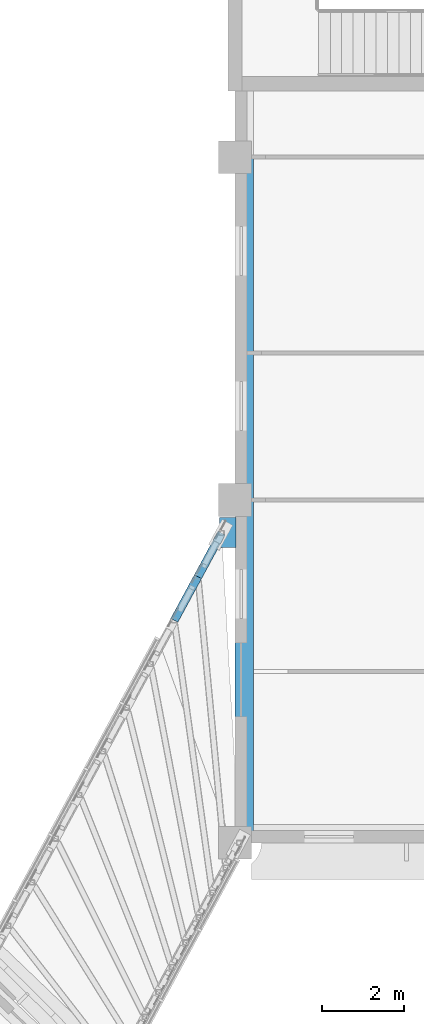
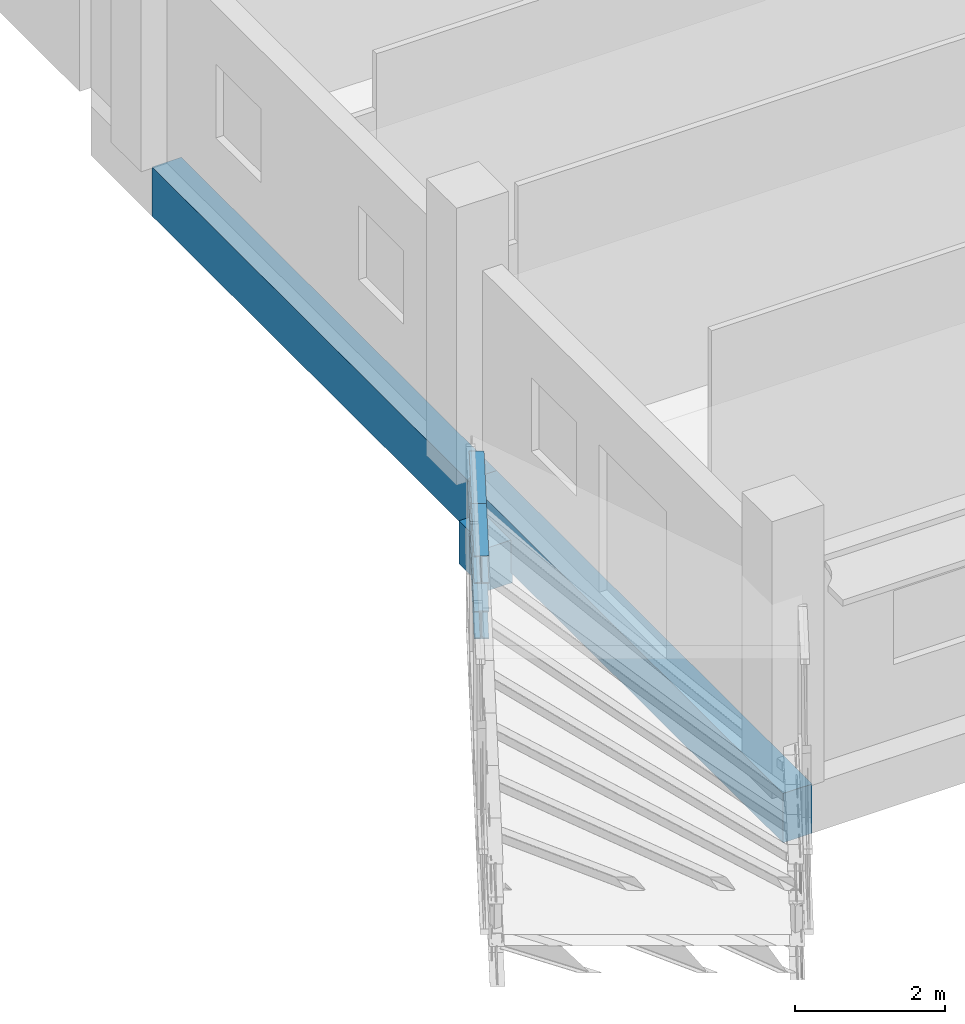
# One storey, part 35 of 136: 4 members, 3 beams.
"""IFC4 building model written with IfcOpenShell, lengths in metres."""

from ifc_helpers import new_model, si_unit, direction, frame, origin, origin_2d, place, context, subcontext, project, spatial, rectangle, i_section, extrude, material, material_profile, profile_set, type_object, element, save


model = new_model("IFC4")

# Units and contexts
model_context = context("Model", 3, precision=1e-05, world=origin(), true_north=direction((0.0, 1.0)))
body_context = subcontext(model_context, "Body", "Model", "MODEL_VIEW")
ifc_project = project(units=[si_unit("LENGTHUNIT", "METRE"), si_unit("AREAUNIT", "SQUARE_METRE"), si_unit("VOLUMEUNIT", "CUBIC_METRE"), si_unit("PLANEANGLEUNIT", "RADIAN"), si_unit("MASSUNIT", "GRAM", prefix="KILO")], contexts=[model_context])

# Site, building, storey
site_placement = place(None, origin())
site = spatial("IfcSite", under=ifc_project, at=site_placement, CompositionType="ELEMENT")
building_placement = place(site_placement, origin())
building = spatial("IfcBuilding", under=site, at=building_placement, Name="Bougainvillea Quay General Hospital", CompositionType="ELEMENT")
storey_placement = place(building_placement, frame((0.0, 0.0, 5.39990234375)))
storey = spatial("IfcBuildingStorey", under=building, at=storey_placement, Name="L01", CompositionType="ELEMENT", Elevation=5.39990234375)

# Members
ifc_material_1 = material(Name="Steel Q355", Category="steel")
ifc_material_profile_1 = material_profile(ifc_material_1, i_section(OverallWidth=0.199951171875, OverallDepth=0.449951171875, WebThickness=0.009033203125, FlangeThickness=0.013916015625, FilletRadius=0.012939453125, at=origin_2d()))
ifc_profile_set_1 = profile_set([ifc_material_profile_1], Name="Steel Q355")
member_type = type_object("IfcMemberType", Name="HN 450x200x9x14 Q355 CHORD", PredefinedType="CHORD", material=ifc_profile_set_1)
for number, where, z_axis, x_axis, name in (
    (1, (162.312255859375, 81.051513671875, -0.344970703125), (0.477052018567, 0.878875060279, 0.0), (-0.878875060279, 0.477052018567, 0.0), "Bottom chord"),
    (2, (162.312255859375, 81.051513671875, 0.55517578125), (0.477052018567, 0.878875060279, 0.0), (-0.878875060279, 0.477052018567, 0.0), "Top chord"),
):
    element("IfcMember", number, at=place(storey_placement, frame(where, z_axis=z_axis, x_axis=x_axis)), inside=storey, type_object=member_type, Name=name, PredefinedType="CHORD", context=body_context, shape_type="SweptSolid", body=[
        extrude(i_section(OverallWidth=0.199951171875, OverallDepth=0.449951171875, WebThickness=0.009033203125, FlangeThickness=0.013916015625, FilletRadius=0.012939453125, at=origin_2d()), origin(), (0.0, 0.0, 1.0), 1.217041015625),
    ])
for number, where, z_axis, x_axis, name in (
    (3, (162.892822265625, 82.12109375, -0.344970703125), (0.476897040404, 0.878959164497, 0.0), (-0.878959164497, 0.476897040404, 0.0), "Bottom chord"),
    (4, (162.892822265625, 82.12109375, 0.55517578125), (0.476897040404, 0.878959164497, 0.0), (-0.878959164497, 0.476897040404, 0.0), "Top chord"),
):
    element("IfcMember", number, at=place(storey_placement, frame(where, z_axis=z_axis, x_axis=x_axis)), inside=storey, type_object=member_type, Name=name, PredefinedType="CHORD", context=body_context, shape_type="SweptSolid", body=[
        extrude(i_section(OverallWidth=0.199951171875, OverallDepth=0.449951171875, WebThickness=0.009033203125, FlangeThickness=0.013916015625, FilletRadius=0.012939453125, at=origin_2d()), origin(), (0.0, 0.0, 1.0), 1.216796875),
    ])

# Beams
ifc_material_2 = material(Name="Concrete C40", Category="concrete")
ifc_material_profile_2 = material_profile(ifc_material_2, rectangle(XDim=0.39990234375, YDim=0.699951171875, at=origin_2d()))
ifc_profile_set_2 = profile_set([ifc_material_profile_2], Name="Concrete C40")
beam_type_1 = type_object("IfcBeamType", Name="RC BEAM 400x700 C40", PredefinedType="BEAM", material=ifc_profile_set_2)
beam_placement = place(storey_placement, frame((163.625, 83.574951171875, -0.919921875), z_axis=(0.0, -1.0, 0.0), x_axis=(1.0, 0.0, 0.0)))
element("IfcBeam", 5, at=beam_placement, inside=storey, type_object=beam_type_1, Name="Bridge bearing bracket", PredefinedType="BEAM", context=body_context, shape_type="SweptSolid", body=[
    extrude(rectangle(XDim=0.39990234375, YDim=0.699951171875, at=origin_2d()), origin(), (0.0, 0.0, 1.0), 0.734130859375),
])
ifc_material_profile_3 = material_profile(ifc_material_2, rectangle(XDim=0.449951171875, YDim=0.800048828125, at=origin_2d()))
ifc_profile_set_3 = profile_set([ifc_material_profile_3], Name="Concrete C40")
beam_type_2 = type_object("IfcBeamType", Name="RC BEAM 450x800 C40", PredefinedType="BEAM", material=ifc_profile_set_3)
for number, where, z_axis, x_axis, name in (
    (6, (164.02490234375, 92.39990234375, -0.699951171875), (0.0, -1.0, 0.0), (1.0, 0.0, 0.0), "Edge beam L01"),
    (7, (164.02490234375, 84.0, -0.699951171875), (0.0, -1.0, 0.0), (1.0, 0.0, 0.0), "Edge beam L01"),
):
    element("IfcBeam", number, at=place(storey_placement, frame(where, z_axis=z_axis, x_axis=x_axis)), inside=storey, type_object=beam_type_2, Name=name, PredefinedType="BEAM", context=body_context, shape_type="SweptSolid", body=[
        extrude(rectangle(XDim=0.449951171875, YDim=0.800048828125, at=origin_2d()), origin(), (0.0, 0.0, 1.0), 8.39990234375),
    ])

save(model, "model.ifc")
